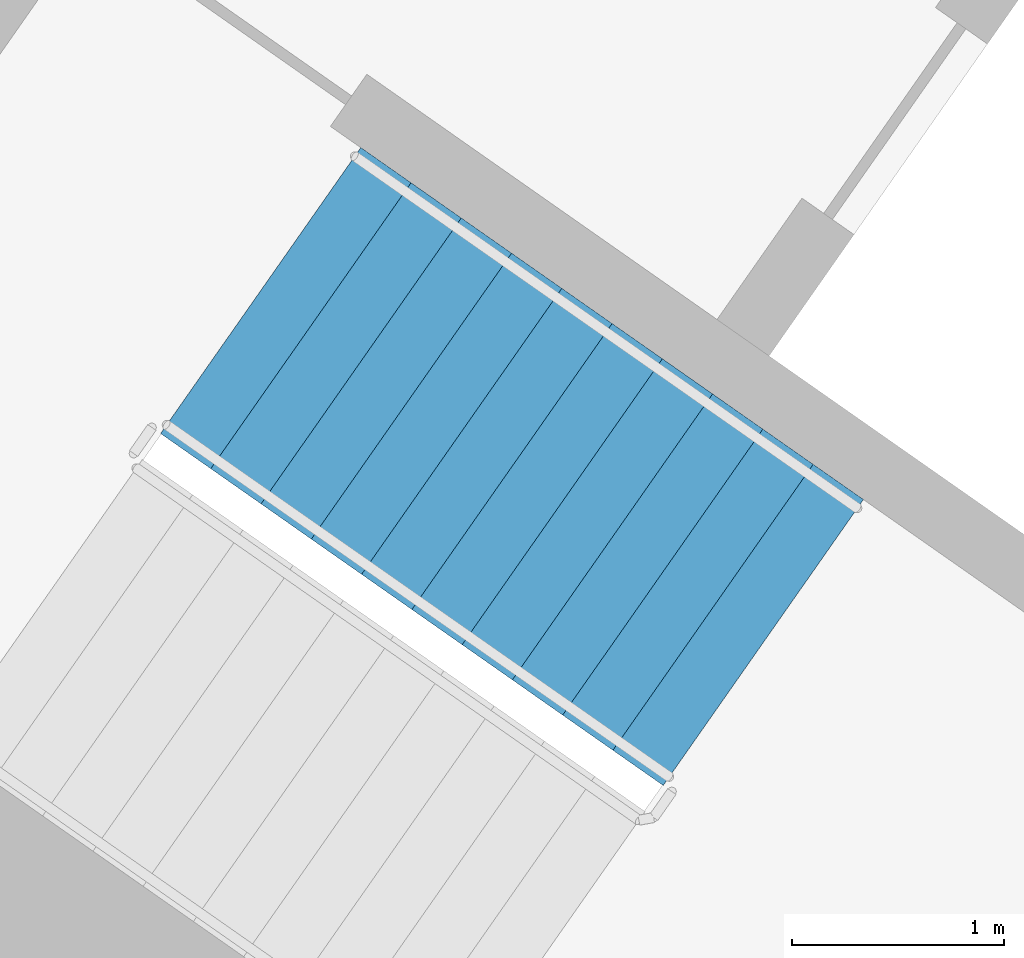
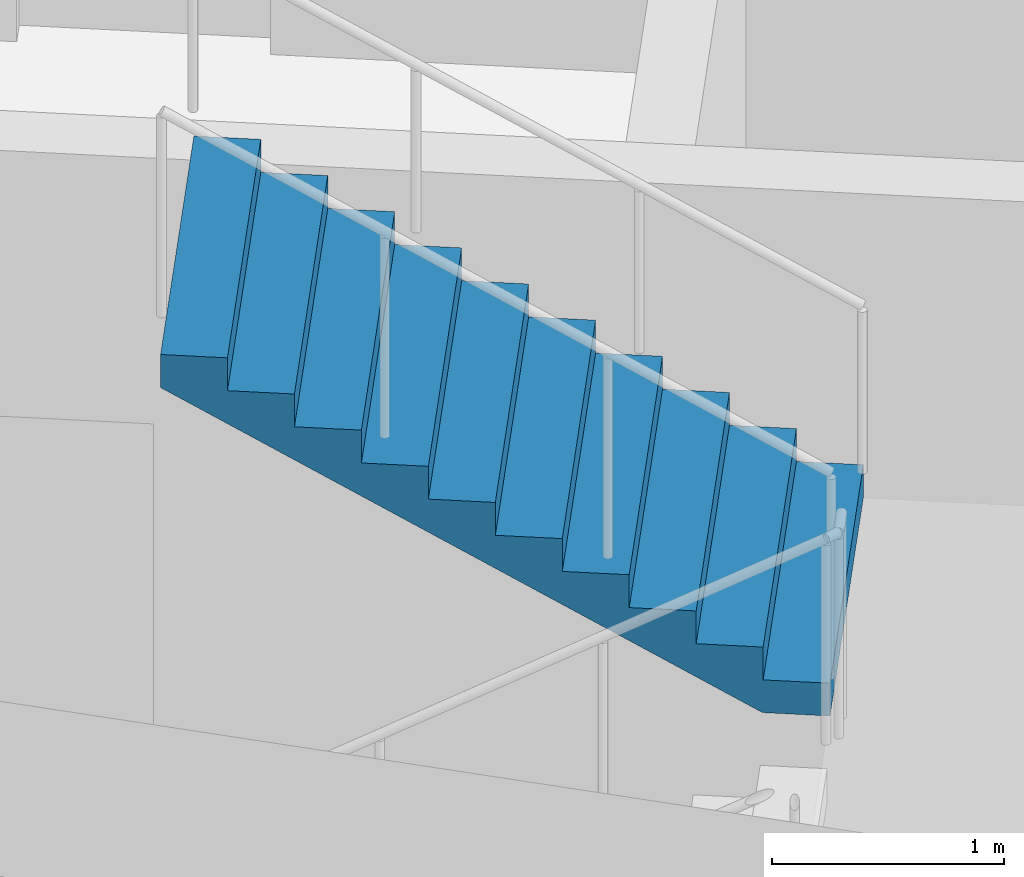
# One storey, part 12 of 31: 1 stair flight, 1 element without a shape of its own.
"""IFC4 building model written with IfcOpenShell, lengths in metres."""

from ifc_helpers import new_model, si_unit, direction, frame, origin, place, context, subcontext, project, spatial, faceted_brep, material, type_object, element, aggregate, save


model = new_model("IFC4")

# Units and contexts
model_context = context("Model", 3, precision=1e-05, world=origin(), true_north=direction((0.0, 1.0)))
body_context = subcontext(model_context, "Body", "Model", "MODEL_VIEW")
ifc_project = project(units=[si_unit("LENGTHUNIT", "METRE"), si_unit("AREAUNIT", "SQUARE_METRE"), si_unit("VOLUMEUNIT", "CUBIC_METRE"), si_unit("PLANEANGLEUNIT", "RADIAN"), si_unit("MASSUNIT", "GRAM", prefix="KILO")], contexts=[model_context])

# Site, building, storey
site_placement = place(None, origin())
site = spatial("IfcSite", under=ifc_project, at=site_placement, CompositionType="ELEMENT")
building_placement = place(site_placement, origin())
building = spatial("IfcBuilding", under=site, at=building_placement, Name="Qamariyya Broadcast Tower", CompositionType="ELEMENT")
storey_placement = place(building_placement, frame((0.0, 0.0, 59.5)))
storey = spatial("IfcBuildingStorey", under=building, at=storey_placement, Name="L11", CompositionType="ELEMENT", Elevation=59.5)

# Stair, stair flight
ifc_material = material(Name="Concrete C50/60", Category="concrete")
stair_type = type_object("IfcStairType", Name="Exit stair 22 risers of 173 mm", PredefinedType="HALF_TURN_STAIR", material=ifc_material)
stair_placement = place(storey_placement, origin())
stair = element("IfcStair", 1, at=stair_placement, inside=storey, type_object=stair_type, Name="L11 Stair W1", PredefinedType="HALF_TURN_STAIR")
stair_flight_type = type_object("IfcStairFlightType", Name="Exit stair flight 11 risers of 173 mm", PredefinedType="STRAIGHT", material=ifc_material)
stair_flight_placement = place(storey_placement, frame((-43.660888671875, -57.17138671875, 1.89990234375), z_axis=(0.0, 0.0, 1.0), x_axis=(-0.819152044289, 0.573576436351, 0.0)))
stair_flight = element("IfcStairFlight", 2, at=stair_flight_placement, type_object=stair_flight_type, Name="ST-W1 flight 2", NumberOfRisers=11, NumberOfTreads=10, PredefinedType="STRAIGHT", RiserHeight=0.172727273, TreadLength=0.29, context=body_context, shape_type="Brep", body=[
    faceted_brep([(0.0, 0.824951171875, 0.0), (0.0, 0.824951171875, 0.172607421875), (0.2900390625, 0.824951171875, 0.172607421875), (0.2900390625, 0.824951171875, 0.345458984375), (0.580078125, 0.824951171875, 0.345458984375), (0.580078125, 0.824951171875, 0.51806640625), (0.8701171875, 0.824951171875, 0.51806640625), (0.8701171875, 0.824951171875, 0.69091796875), (1.159912109375, 0.824951171875, 0.69091796875), (1.159912109375, 0.824951171875, 0.863525390625), (1.449951171875, 0.824951171875, 0.863525390625), (1.449951171875, 0.824951171875, 1.036376953125), (1.739990234375, 0.824951171875, 1.036376953125), (1.739990234375, 0.824951171875, 1.208984375), (2.030029296875, 0.824951171875, 1.208984375), (2.030029296875, 0.824951171875, 1.3818359375), (2.320068359375, 0.824951171875, 1.3818359375), (2.320068359375, 0.824951171875, 1.554443359375), (2.610107421875, 0.824951171875, 1.554443359375), (2.610107421875, 0.824951171875, 1.727294921875), (2.89990234375, 0.824951171875, 1.727294921875), (2.89990234375, 0.824951171875, 1.552734375), (0.29296875, 0.824951171875, 0.0), (0.29296875, -0.824951171875, 0.0), (2.89990234375, -0.824951171875, 1.552734375), (2.89990234375, -0.824951171875, 1.727294921875), (2.610107421875, -0.824951171875, 1.727294921875), (2.610107421875, -0.824951171875, 1.554443359375), (2.320068359375, -0.824951171875, 1.554443359375), (2.320068359375, -0.824951171875, 1.3818359375), (2.030029296875, -0.824951171875, 1.3818359375), (2.030029296875, -0.824951171875, 1.208984375), (1.739990234375, -0.824951171875, 1.208984375), (1.739990234375, -0.824951171875, 1.036376953125), (1.449951171875, -0.824951171875, 1.036376953125), (1.449951171875, -0.824951171875, 0.863525390625), (1.159912109375, -0.824951171875, 0.863525390625), (1.159912109375, -0.824951171875, 0.69091796875), (0.8701171875, -0.824951171875, 0.69091796875), (0.8701171875, -0.824951171875, 0.51806640625), (0.580078125, -0.824951171875, 0.51806640625), (0.580078125, -0.824951171875, 0.345458984375), (0.2900390625, -0.824951171875, 0.345458984375), (0.2900390625, -0.824951171875, 0.172607421875), (0.0, -0.824951171875, 0.172607421875), (0.0, -0.824951171875, 0.0), (0.0, 0.10009765625, 0.0), (0.0, 0.086669921875, 0.0), (0.0, 0.0732421875, 0.0), (0.0, 0.06005859375, 0.0), (0.0, 0.046630859375, 0.0), (0.0, 0.033447265625, 0.0), (0.0, 0.02001953125, 0.0), (0.0, 0.006591796875, 0.0), (0.0, -0.006591796875, 0.0), (0.0, -0.02001953125, 0.0), (0.0, -0.033447265625, 0.0), (0.0, -0.046630859375, 0.0), (0.0, -0.06005859375, 0.0), (0.0, -0.0732421875, 0.0), (0.0, -0.086669921875, 0.0), (0.0, -0.10009765625, 0.0), (0.0, -0.10009765625, 0.172607421875), (0.0, -0.086669921875, 0.172607421875), (0.0, -0.0732421875, 0.172607421875), (0.0, -0.06005859375, 0.172607421875), (0.0, -0.046630859375, 0.172607421875), (0.0, -0.033447265625, 0.172607421875), (0.0, -0.02001953125, 0.172607421875), (0.0, -0.006591796875, 0.172607421875), (0.0, 0.006591796875, 0.172607421875), (0.0, 0.02001953125, 0.172607421875), (0.0, 0.033447265625, 0.172607421875), (0.0, 0.046630859375, 0.172607421875), (0.0, 0.06005859375, 0.172607421875), (0.0, 0.0732421875, 0.172607421875), (0.0, 0.086669921875, 0.172607421875), (0.0, 0.10009765625, 0.172607421875), (0.2900390625, -0.10009765625, 0.172607421875), (0.2900390625, -0.086669921875, 0.172607421875), (0.2900390625, -0.0732421875, 0.172607421875), (0.2900390625, -0.06005859375, 0.172607421875), (0.2900390625, -0.046630859375, 0.172607421875), (0.2900390625, -0.033447265625, 0.172607421875), (0.2900390625, -0.02001953125, 0.172607421875), (0.2900390625, -0.006591796875, 0.172607421875), (0.2900390625, 0.006591796875, 0.172607421875), (0.2900390625, 0.02001953125, 0.172607421875), (0.2900390625, 0.033447265625, 0.172607421875), (0.2900390625, 0.046630859375, 0.172607421875), (0.2900390625, 0.06005859375, 0.172607421875), (0.2900390625, 0.0732421875, 0.172607421875), (0.2900390625, 0.086669921875, 0.172607421875), (0.2900390625, 0.10009765625, 0.172607421875), (0.2900390625, -0.10009765625, 0.345458984375), (0.2900390625, -0.086669921875, 0.345458984375), (0.2900390625, -0.0732421875, 0.345458984375), (0.2900390625, -0.06005859375, 0.345458984375), (0.2900390625, -0.046630859375, 0.345458984375), (0.2900390625, -0.033447265625, 0.345458984375), (0.2900390625, -0.02001953125, 0.345458984375), (0.2900390625, -0.006591796875, 0.345458984375), (0.2900390625, 0.006591796875, 0.345458984375), (0.2900390625, 0.02001953125, 0.345458984375), (0.2900390625, 0.033447265625, 0.345458984375), (0.2900390625, 0.046630859375, 0.345458984375), (0.2900390625, 0.06005859375, 0.345458984375), (0.2900390625, 0.0732421875, 0.345458984375), (0.2900390625, 0.086669921875, 0.345458984375), (0.2900390625, 0.10009765625, 0.345458984375), (0.580078125, -0.10009765625, 0.345458984375), (0.580078125, -0.086669921875, 0.345458984375), (0.580078125, -0.0732421875, 0.345458984375), (0.580078125, -0.06005859375, 0.345458984375), (0.580078125, -0.046630859375, 0.345458984375), (0.580078125, -0.033447265625, 0.345458984375), (0.580078125, -0.02001953125, 0.345458984375), (0.580078125, -0.006591796875, 0.345458984375), (0.580078125, 0.006591796875, 0.345458984375), (0.580078125, 0.02001953125, 0.345458984375), (0.580078125, 0.033447265625, 0.345458984375), (0.580078125, 0.046630859375, 0.345458984375), (0.580078125, 0.06005859375, 0.345458984375), (0.580078125, 0.0732421875, 0.345458984375), (0.580078125, 0.086669921875, 0.345458984375), (0.580078125, 0.10009765625, 0.345458984375), (0.580078125, -0.10009765625, 0.51806640625), (0.580078125, -0.086669921875, 0.51806640625), (0.580078125, -0.0732421875, 0.51806640625), (0.580078125, -0.06005859375, 0.51806640625), (0.580078125, -0.046630859375, 0.51806640625), (0.580078125, -0.033447265625, 0.51806640625), (0.580078125, -0.02001953125, 0.51806640625), (0.580078125, -0.006591796875, 0.51806640625), (0.580078125, 0.006591796875, 0.51806640625), (0.580078125, 0.02001953125, 0.51806640625), (0.580078125, 0.033447265625, 0.51806640625), (0.580078125, 0.046630859375, 0.51806640625), (0.580078125, 0.06005859375, 0.51806640625), (0.580078125, 0.0732421875, 0.51806640625), (0.580078125, 0.086669921875, 0.51806640625), (0.580078125, 0.10009765625, 0.51806640625), (0.8701171875, -0.10009765625, 0.51806640625), (0.8701171875, -0.086669921875, 0.51806640625), (0.8701171875, -0.0732421875, 0.51806640625), (0.8701171875, -0.06005859375, 0.51806640625), (0.8701171875, -0.046630859375, 0.51806640625), (0.8701171875, -0.033447265625, 0.51806640625), (0.8701171875, -0.02001953125, 0.51806640625), (0.8701171875, -0.006591796875, 0.51806640625), (0.8701171875, 0.006591796875, 0.51806640625), (0.8701171875, 0.02001953125, 0.51806640625), (0.8701171875, 0.033447265625, 0.51806640625), (0.8701171875, 0.046630859375, 0.51806640625), (0.8701171875, 0.06005859375, 0.51806640625), (0.8701171875, 0.0732421875, 0.51806640625), (0.8701171875, 0.086669921875, 0.51806640625), (0.8701171875, 0.10009765625, 0.51806640625), (0.8701171875, -0.10009765625, 0.69091796875), (0.8701171875, -0.086669921875, 0.69091796875), (0.8701171875, -0.0732421875, 0.69091796875), (0.8701171875, -0.06005859375, 0.69091796875), (0.8701171875, -0.046630859375, 0.69091796875), (0.8701171875, -0.033447265625, 0.69091796875), (0.8701171875, -0.02001953125, 0.69091796875), (0.8701171875, -0.006591796875, 0.69091796875), (0.8701171875, 0.006591796875, 0.69091796875), (0.8701171875, 0.02001953125, 0.69091796875), (0.8701171875, 0.033447265625, 0.69091796875), (0.8701171875, 0.046630859375, 0.69091796875), (0.8701171875, 0.06005859375, 0.69091796875), (0.8701171875, 0.0732421875, 0.69091796875), (0.8701171875, 0.086669921875, 0.69091796875), (0.8701171875, 0.10009765625, 0.69091796875), (1.159912109375, -0.10009765625, 0.69091796875), (1.159912109375, -0.086669921875, 0.69091796875), (1.159912109375, -0.0732421875, 0.69091796875), (1.159912109375, -0.06005859375, 0.69091796875), (1.159912109375, -0.046630859375, 0.69091796875), (1.159912109375, -0.033447265625, 0.69091796875), (1.159912109375, -0.02001953125, 0.69091796875), (1.159912109375, -0.006591796875, 0.69091796875), (1.159912109375, 0.006591796875, 0.69091796875), (1.159912109375, 0.02001953125, 0.69091796875), (1.159912109375, 0.033447265625, 0.69091796875), (1.159912109375, 0.046630859375, 0.69091796875), (1.159912109375, 0.06005859375, 0.69091796875), (1.159912109375, 0.0732421875, 0.69091796875), (1.159912109375, 0.086669921875, 0.69091796875), (1.159912109375, 0.10009765625, 0.69091796875), (1.159912109375, -0.10009765625, 0.863525390625), (1.159912109375, -0.086669921875, 0.863525390625), (1.159912109375, -0.0732421875, 0.863525390625), (1.159912109375, -0.06005859375, 0.863525390625), (1.159912109375, -0.046630859375, 0.863525390625), (1.159912109375, -0.033447265625, 0.863525390625), (1.159912109375, -0.02001953125, 0.863525390625), (1.159912109375, -0.006591796875, 0.863525390625), (1.159912109375, 0.006591796875, 0.863525390625), (1.159912109375, 0.02001953125, 0.863525390625), (1.159912109375, 0.033447265625, 0.863525390625), (1.159912109375, 0.046630859375, 0.863525390625), (1.159912109375, 0.06005859375, 0.863525390625), (1.159912109375, 0.0732421875, 0.863525390625), (1.159912109375, 0.086669921875, 0.863525390625), (1.159912109375, 0.10009765625, 0.863525390625), (1.449951171875, -0.10009765625, 0.863525390625), (1.449951171875, -0.086669921875, 0.863525390625), (1.449951171875, -0.0732421875, 0.863525390625), (1.449951171875, -0.06005859375, 0.863525390625), (1.449951171875, -0.046630859375, 0.863525390625), (1.449951171875, -0.033447265625, 0.863525390625), (1.449951171875, -0.02001953125, 0.863525390625), (1.449951171875, -0.006591796875, 0.863525390625), (1.449951171875, 0.006591796875, 0.863525390625), (1.449951171875, 0.02001953125, 0.863525390625), (1.449951171875, 0.033447265625, 0.863525390625), (1.449951171875, 0.046630859375, 0.863525390625), (1.449951171875, 0.06005859375, 0.863525390625), (1.449951171875, 0.0732421875, 0.863525390625), (1.449951171875, 0.086669921875, 0.863525390625), (1.449951171875, 0.10009765625, 0.863525390625), (1.449951171875, -0.10009765625, 1.036376953125), (1.449951171875, -0.086669921875, 1.036376953125), (1.449951171875, -0.0732421875, 1.036376953125), (1.449951171875, -0.06005859375, 1.036376953125), (1.449951171875, -0.046630859375, 1.036376953125), (1.449951171875, -0.033447265625, 1.036376953125), (1.449951171875, -0.02001953125, 1.036376953125), (1.449951171875, -0.006591796875, 1.036376953125), (1.449951171875, 0.006591796875, 1.036376953125), (1.449951171875, 0.02001953125, 1.036376953125), (1.449951171875, 0.033447265625, 1.036376953125), (1.449951171875, 0.046630859375, 1.036376953125), (1.449951171875, 0.06005859375, 1.036376953125), (1.449951171875, 0.0732421875, 1.036376953125), (1.449951171875, 0.086669921875, 1.036376953125), (1.449951171875, 0.10009765625, 1.036376953125), (1.739990234375, -0.10009765625, 1.036376953125), (1.739990234375, -0.086669921875, 1.036376953125), (1.739990234375, -0.0732421875, 1.036376953125), (1.739990234375, -0.06005859375, 1.036376953125), (1.739990234375, -0.046630859375, 1.036376953125), (1.739990234375, -0.033447265625, 1.036376953125), (1.739990234375, -0.02001953125, 1.036376953125), (1.739990234375, -0.006591796875, 1.036376953125), (1.739990234375, 0.006591796875, 1.036376953125), (1.739990234375, 0.02001953125, 1.036376953125), (1.739990234375, 0.033447265625, 1.036376953125), (1.739990234375, 0.046630859375, 1.036376953125), (1.739990234375, 0.06005859375, 1.036376953125), (1.739990234375, 0.0732421875, 1.036376953125), (1.739990234375, 0.086669921875, 1.036376953125), (1.739990234375, 0.10009765625, 1.036376953125), (1.739990234375, -0.10009765625, 1.208984375), (1.739990234375, -0.086669921875, 1.208984375), (1.739990234375, -0.0732421875, 1.208984375), (1.739990234375, -0.06005859375, 1.208984375), (1.739990234375, -0.046630859375, 1.208984375), (1.739990234375, -0.033447265625, 1.208984375), (1.739990234375, -0.02001953125, 1.208984375), (1.739990234375, -0.006591796875, 1.208984375), (1.739990234375, 0.006591796875, 1.208984375), (1.739990234375, 0.02001953125, 1.208984375), (1.739990234375, 0.033447265625, 1.208984375), (1.739990234375, 0.046630859375, 1.208984375), (1.739990234375, 0.06005859375, 1.208984375), (1.739990234375, 0.0732421875, 1.208984375), (1.739990234375, 0.086669921875, 1.208984375), (1.739990234375, 0.10009765625, 1.208984375), (2.030029296875, -0.10009765625, 1.208984375), (2.030029296875, -0.086669921875, 1.208984375), (2.030029296875, -0.0732421875, 1.208984375), (2.030029296875, -0.06005859375, 1.208984375), (2.030029296875, -0.046630859375, 1.208984375), (2.030029296875, -0.033447265625, 1.208984375), (2.030029296875, -0.02001953125, 1.208984375), (2.030029296875, -0.006591796875, 1.208984375), (2.030029296875, 0.006591796875, 1.208984375), (2.030029296875, 0.02001953125, 1.208984375), (2.030029296875, 0.033447265625, 1.208984375), (2.030029296875, 0.046630859375, 1.208984375), (2.030029296875, 0.06005859375, 1.208984375), (2.030029296875, 0.0732421875, 1.208984375), (2.030029296875, 0.086669921875, 1.208984375), (2.030029296875, 0.10009765625, 1.208984375), (2.030029296875, -0.10009765625, 1.3818359375), (2.030029296875, -0.086669921875, 1.3818359375), (2.030029296875, -0.0732421875, 1.3818359375), (2.030029296875, -0.06005859375, 1.3818359375), (2.030029296875, -0.046630859375, 1.3818359375), (2.030029296875, -0.033447265625, 1.3818359375), (2.030029296875, -0.02001953125, 1.3818359375), (2.030029296875, -0.006591796875, 1.3818359375), (2.030029296875, 0.006591796875, 1.3818359375), (2.030029296875, 0.02001953125, 1.3818359375), (2.030029296875, 0.033447265625, 1.3818359375), (2.030029296875, 0.046630859375, 1.3818359375), (2.030029296875, 0.06005859375, 1.3818359375), (2.030029296875, 0.0732421875, 1.3818359375), (2.030029296875, 0.086669921875, 1.3818359375), (2.030029296875, 0.10009765625, 1.3818359375), (2.320068359375, -0.10009765625, 1.3818359375), (2.320068359375, -0.086669921875, 1.3818359375), (2.320068359375, -0.0732421875, 1.3818359375), (2.320068359375, -0.06005859375, 1.3818359375), (2.320068359375, -0.046630859375, 1.3818359375), (2.320068359375, -0.033447265625, 1.3818359375), (2.320068359375, -0.02001953125, 1.3818359375), (2.320068359375, -0.006591796875, 1.3818359375), (2.320068359375, 0.006591796875, 1.3818359375), (2.320068359375, 0.02001953125, 1.3818359375), (2.320068359375, 0.033447265625, 1.3818359375), (2.320068359375, 0.046630859375, 1.3818359375), (2.320068359375, 0.06005859375, 1.3818359375), (2.320068359375, 0.0732421875, 1.3818359375), (2.320068359375, 0.086669921875, 1.3818359375), (2.320068359375, 0.10009765625, 1.3818359375), (2.320068359375, -0.10009765625, 1.554443359375), (2.320068359375, -0.086669921875, 1.554443359375), (2.320068359375, -0.0732421875, 1.554443359375), (2.320068359375, -0.06005859375, 1.554443359375), (2.320068359375, -0.046630859375, 1.554443359375), (2.320068359375, -0.033447265625, 1.554443359375), (2.320068359375, -0.02001953125, 1.554443359375), (2.320068359375, -0.006591796875, 1.554443359375), (2.320068359375, 0.006591796875, 1.554443359375), (2.320068359375, 0.02001953125, 1.554443359375), (2.320068359375, 0.033447265625, 1.554443359375), (2.320068359375, 0.046630859375, 1.554443359375), (2.320068359375, 0.06005859375, 1.554443359375), (2.320068359375, 0.0732421875, 1.554443359375), (2.320068359375, 0.086669921875, 1.554443359375), (2.320068359375, 0.10009765625, 1.554443359375), (2.610107421875, -0.10009765625, 1.554443359375), (2.610107421875, -0.086669921875, 1.554443359375), (2.610107421875, -0.0732421875, 1.554443359375), (2.610107421875, -0.06005859375, 1.554443359375), (2.610107421875, -0.046630859375, 1.554443359375), (2.610107421875, -0.033447265625, 1.554443359375), (2.610107421875, -0.02001953125, 1.554443359375), (2.610107421875, -0.006591796875, 1.554443359375), (2.610107421875, 0.006591796875, 1.554443359375), (2.610107421875, 0.02001953125, 1.554443359375), (2.610107421875, 0.033447265625, 1.554443359375), (2.610107421875, 0.046630859375, 1.554443359375), (2.610107421875, 0.06005859375, 1.554443359375), (2.610107421875, 0.0732421875, 1.554443359375), (2.610107421875, 0.086669921875, 1.554443359375), (2.610107421875, 0.10009765625, 1.554443359375), (2.610107421875, -0.10009765625, 1.727294921875), (2.610107421875, -0.086669921875, 1.727294921875), (2.610107421875, -0.0732421875, 1.727294921875), (2.610107421875, -0.06005859375, 1.727294921875), (2.610107421875, -0.046630859375, 1.727294921875), (2.610107421875, -0.033447265625, 1.727294921875), (2.610107421875, -0.02001953125, 1.727294921875), (2.610107421875, -0.006591796875, 1.727294921875), (2.610107421875, 0.006591796875, 1.727294921875), (2.610107421875, 0.02001953125, 1.727294921875), (2.610107421875, 0.033447265625, 1.727294921875), (2.610107421875, 0.046630859375, 1.727294921875), (2.610107421875, 0.06005859375, 1.727294921875), (2.610107421875, 0.0732421875, 1.727294921875), (2.610107421875, 0.086669921875, 1.727294921875), (2.610107421875, 0.10009765625, 1.727294921875), (2.89990234375, -0.10009765625, 1.727294921875), (2.89990234375, -0.086669921875, 1.727294921875), (2.89990234375, -0.0732421875, 1.727294921875), (2.89990234375, -0.06005859375, 1.727294921875), (2.89990234375, -0.046630859375, 1.727294921875), (2.89990234375, -0.033447265625, 1.727294921875), (2.89990234375, -0.02001953125, 1.727294921875), (2.89990234375, -0.006591796875, 1.727294921875), (2.89990234375, 0.006591796875, 1.727294921875), (2.89990234375, 0.02001953125, 1.727294921875), (2.89990234375, 0.033447265625, 1.727294921875), (2.89990234375, 0.046630859375, 1.727294921875), (2.89990234375, 0.06005859375, 1.727294921875), (2.89990234375, 0.0732421875, 1.727294921875), (2.89990234375, 0.086669921875, 1.727294921875), (2.89990234375, 0.10009765625, 1.727294921875), (2.89990234375, -0.10009765625, 1.552734375), (2.89990234375, -0.086669921875, 1.552734375), (2.89990234375, -0.0732421875, 1.552734375), (2.89990234375, -0.06005859375, 1.552734375), (2.89990234375, -0.046630859375, 1.552734375), (2.89990234375, -0.033447265625, 1.552734375), (2.89990234375, -0.02001953125, 1.552734375), (2.89990234375, -0.006591796875, 1.552734375), (2.89990234375, 0.006591796875, 1.552734375), (2.89990234375, 0.02001953125, 1.552734375), (2.89990234375, 0.033447265625, 1.552734375), (2.89990234375, 0.046630859375, 1.552734375), (2.89990234375, 0.06005859375, 1.552734375), (2.89990234375, 0.0732421875, 1.552734375), (2.89990234375, 0.086669921875, 1.552734375), (2.89990234375, 0.10009765625, 1.552734375), (0.29296875, -0.10009765625, 0.0), (0.29296875, -0.086669921875, 0.0), (0.29296875, -0.0732421875, 0.0), (0.29296875, -0.06005859375, 0.0), (0.29296875, -0.046630859375, 0.0), (0.29296875, -0.033447265625, 0.0), (0.29296875, -0.02001953125, 0.0), (0.29296875, -0.006591796875, 0.0), (0.29296875, 0.006591796875, 0.0), (0.29296875, 0.02001953125, 0.0), (0.29296875, 0.033447265625, 0.0), (0.29296875, 0.046630859375, 0.0), (0.29296875, 0.06005859375, 0.0), (0.29296875, 0.0732421875, 0.0), (0.29296875, 0.086669921875, 0.0), (0.29296875, 0.10009765625, 0.0)], [[[0, 1, 2, 3, 4, 5, 6, 7, 8, 9, 10, 11, 12, 13, 14, 15, 16, 17, 18, 19, 20, 21, 22]], [[23, 24, 25, 26, 27, 28, 29, 30, 31, 32, 33, 34, 35, 36, 37, 38, 39, 40, 41, 42, 43, 44, 45]], [[0, 46, 47, 48, 49, 50, 51, 52, 53, 54, 55, 56, 57, 58, 59, 60, 61, 45, 44, 62, 63, 64, 65, 66, 67, 68, 69, 70, 71, 72, 73, 74, 75, 76, 77, 1]], [[1, 77, 76, 75, 74, 73, 72, 71, 70, 69, 68, 67, 66, 65, 64, 63, 62, 44, 43, 78, 79, 80, 81, 82, 83, 84, 85, 86, 87, 88, 89, 90, 91, 92, 93, 2]], [[2, 93, 92, 91, 90, 89, 88, 87, 86, 85, 84, 83, 82, 81, 80, 79, 78, 43, 42, 94, 95, 96, 97, 98, 99, 100, 101, 102, 103, 104, 105, 106, 107, 108, 109, 3]], [[3, 109, 108, 107, 106, 105, 104, 103, 102, 101, 100, 99, 98, 97, 96, 95, 94, 42, 41, 110, 111, 112, 113, 114, 115, 116, 117, 118, 119, 120, 121, 122, 123, 124, 125, 4]], [[4, 125, 124, 123, 122, 121, 120, 119, 118, 117, 116, 115, 114, 113, 112, 111, 110, 41, 40, 126, 127, 128, 129, 130, 131, 132, 133, 134, 135, 136, 137, 138, 139, 140, 141, 5]], [[5, 141, 140, 139, 138, 137, 136, 135, 134, 133, 132, 131, 130, 129, 128, 127, 126, 40, 39, 142, 143, 144, 145, 146, 147, 148, 149, 150, 151, 152, 153, 154, 155, 156, 157, 6]], [[6, 157, 156, 155, 154, 153, 152, 151, 150, 149, 148, 147, 146, 145, 144, 143, 142, 39, 38, 158, 159, 160, 161, 162, 163, 164, 165, 166, 167, 168, 169, 170, 171, 172, 173, 7]], [[7, 173, 172, 171, 170, 169, 168, 167, 166, 165, 164, 163, 162, 161, 160, 159, 158, 38, 37, 174, 175, 176, 177, 178, 179, 180, 181, 182, 183, 184, 185, 186, 187, 188, 189, 8]], [[8, 189, 188, 187, 186, 185, 184, 183, 182, 181, 180, 179, 178, 177, 176, 175, 174, 37, 36, 190, 191, 192, 193, 194, 195, 196, 197, 198, 199, 200, 201, 202, 203, 204, 205, 9]], [[9, 205, 204, 203, 202, 201, 200, 199, 198, 197, 196, 195, 194, 193, 192, 191, 190, 36, 35, 206, 207, 208, 209, 210, 211, 212, 213, 214, 215, 216, 217, 218, 219, 220, 221, 10]], [[10, 221, 220, 219, 218, 217, 216, 215, 214, 213, 212, 211, 210, 209, 208, 207, 206, 35, 34, 222, 223, 224, 225, 226, 227, 228, 229, 230, 231, 232, 233, 234, 235, 236, 237, 11]], [[11, 237, 236, 235, 234, 233, 232, 231, 230, 229, 228, 227, 226, 225, 224, 223, 222, 34, 33, 238, 239, 240, 241, 242, 243, 244, 245, 246, 247, 248, 249, 250, 251, 252, 253, 12]], [[12, 253, 252, 251, 250, 249, 248, 247, 246, 245, 244, 243, 242, 241, 240, 239, 238, 33, 32, 254, 255, 256, 257, 258, 259, 260, 261, 262, 263, 264, 265, 266, 267, 268, 269, 13]], [[13, 269, 268, 267, 266, 265, 264, 263, 262, 261, 260, 259, 258, 257, 256, 255, 254, 32, 31, 270, 271, 272, 273, 274, 275, 276, 277, 278, 279, 280, 281, 282, 283, 284, 285, 14]], [[14, 285, 284, 283, 282, 281, 280, 279, 278, 277, 276, 275, 274, 273, 272, 271, 270, 31, 30, 286, 287, 288, 289, 290, 291, 292, 293, 294, 295, 296, 297, 298, 299, 300, 301, 15]], [[15, 301, 300, 299, 298, 297, 296, 295, 294, 293, 292, 291, 290, 289, 288, 287, 286, 30, 29, 302, 303, 304, 305, 306, 307, 308, 309, 310, 311, 312, 313, 314, 315, 316, 317, 16]], [[16, 317, 316, 315, 314, 313, 312, 311, 310, 309, 308, 307, 306, 305, 304, 303, 302, 29, 28, 318, 319, 320, 321, 322, 323, 324, 325, 326, 327, 328, 329, 330, 331, 332, 333, 17]], [[17, 333, 332, 331, 330, 329, 328, 327, 326, 325, 324, 323, 322, 321, 320, 319, 318, 28, 27, 334, 335, 336, 337, 338, 339, 340, 341, 342, 343, 344, 345, 346, 347, 348, 349, 18]], [[18, 349, 348, 347, 346, 345, 344, 343, 342, 341, 340, 339, 338, 337, 336, 335, 334, 27, 26, 350, 351, 352, 353, 354, 355, 356, 357, 358, 359, 360, 361, 362, 363, 364, 365, 19]], [[19, 365, 364, 363, 362, 361, 360, 359, 358, 357, 356, 355, 354, 353, 352, 351, 350, 26, 25, 366, 367, 368, 369, 370, 371, 372, 373, 374, 375, 376, 377, 378, 379, 380, 381, 20]], [[20, 381, 380, 379, 378, 377, 376, 375, 374, 373, 372, 371, 370, 369, 368, 367, 366, 25, 24, 382, 383, 384, 385, 386, 387, 388, 389, 390, 391, 392, 393, 394, 395, 396, 397, 21]], [[21, 397, 396, 395, 394, 393, 392, 391, 390, 389, 388, 387, 386, 385, 384, 383, 382, 24, 23, 398, 399, 400, 401, 402, 403, 404, 405, 406, 407, 408, 409, 410, 411, 412, 413, 22]], [[22, 413, 412, 411, 410, 409, 408, 407, 406, 405, 404, 403, 402, 401, 400, 399, 398, 23, 45, 61, 60, 59, 58, 57, 56, 55, 54, 53, 52, 51, 50, 49, 48, 47, 46, 0]]]),
])
aggregate(stair, [stair_flight])

save(model, "model.ifc")
